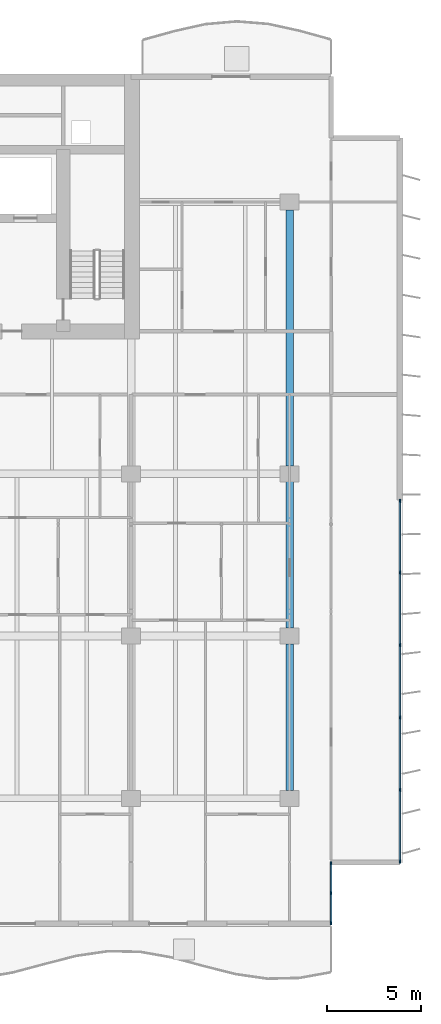
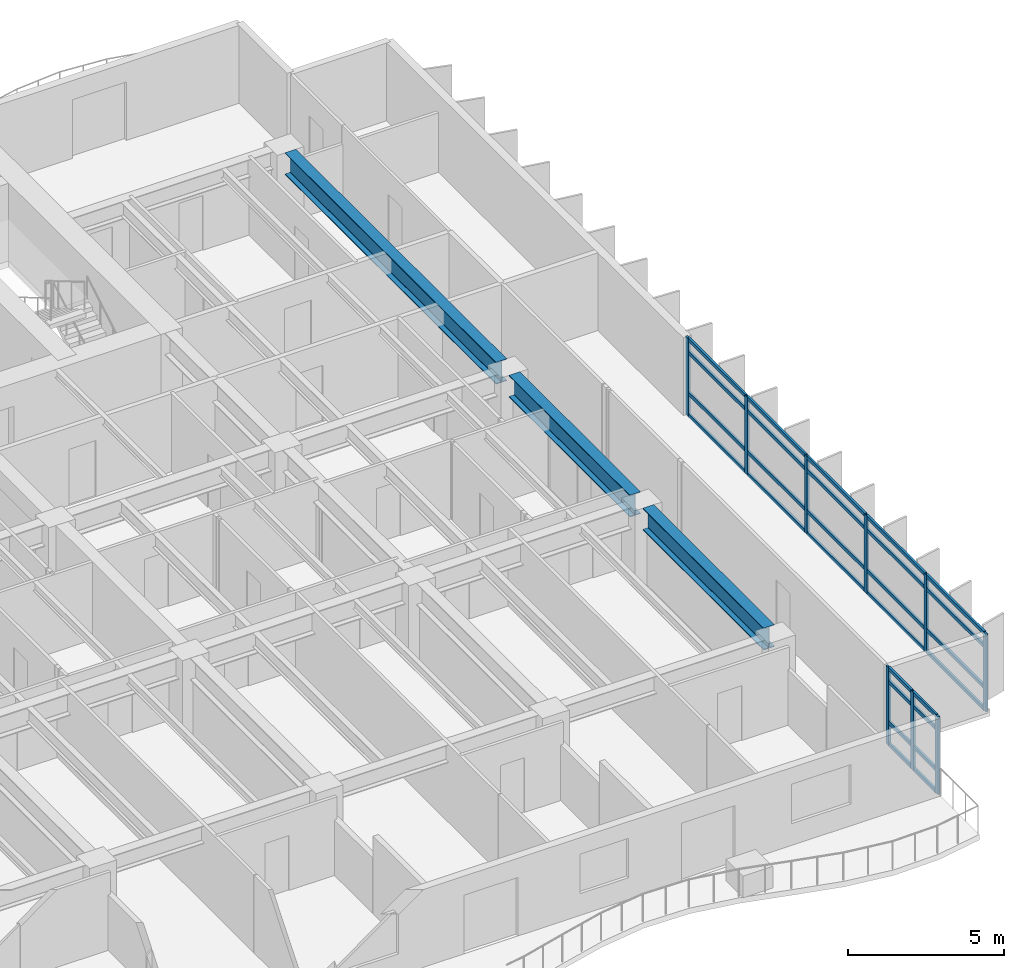
# One storey, part 4 of 19: 37 members, 3 beams, 2 elements without a shape of their own.
"""IFC4 building model written with IfcOpenShell, lengths in metres."""

import ifcopenshell
import ifcopenshell.guid

model = None  # the IFC model being written
_history = None  # IfcOwnerHistory: only IFC2X3 demands one
_inside = {}  # id of a spatial element -> (the spatial element, [elements in it])
_under = {}  # id of a project, library or spatial element -> (it, [spatial elements below it])
_declared = {}  # id of a project -> (the project, [libraries it declares])
_typed = {}  # id of a type object -> (the type object, [elements of that type])
_made_of = {}  # id of a material, layer set ... -> (it, [elements and type objects made of it])


def new_model(schema):
    """Start an empty IFC model of exactly this schema.

    Asked for "IFC4X3", IfcOpenShell would pick the latest addendum, in which some entities
    have other attributes; the version numbers below select the first issue.
    IFC2X3 requires an IfcOwnerHistory on every rooted entity: one is made here for all.
    """
    global model, _history
    if schema == "IFC4X3":
        model = ifcopenshell.file(schema_version=(4, 3, 0, 0))
    else:
        model = ifcopenshell.file(schema=schema)
    _inside.clear()
    _under.clear()
    _declared.clear()
    _typed.clear()
    _made_of.clear()
    _history = None
    if model.schema == "IFC2X3":
        org = make("IfcOrganization", Name="unknown")
        user = make(
            "IfcPersonAndOrganization",
            ThePerson=make("IfcPerson", FamilyName="unknown"),
            TheOrganization=org,
        )
        app = make(
            "IfcApplication",
            ApplicationDeveloper=org,
            Version="unknown",
            ApplicationFullName="unknown",
            ApplicationIdentifier="unknown",
        )
        _history = make(
            "IfcOwnerHistory",
            OwningUser=user,
            OwningApplication=app,
            ChangeAction="ADDED",
            CreationDate=0,
        )
    return model


def make(cls, **values):
    """One entity of the class cls with the attributes given. An attribute that is None is left unset."""
    return model.create_entity(
        cls, **{name: value for name, value in values.items() if value is not None}
    )


def rooted(cls, **values):
    """An entity with a GlobalId (a new one), such as an element, a storey or a relation."""
    return make(cls, GlobalId=ifcopenshell.guid.new(), OwnerHistory=_history, **values)


def si_unit(unit_type, name, prefix=None):
    """IfcSIUnit, for example si_unit("LENGTHUNIT", "METRE", prefix="MILLI")."""
    return make("IfcSIUnit", UnitType=unit_type, Prefix=prefix, Name=name)


def assignment(units):
    """IfcUnitAssignment: the units of a project."""
    return None if units is None else make("IfcUnitAssignment", Units=units)


def point(xyz):
    """IfcCartesianPoint."""
    return None if xyz is None else make("IfcCartesianPoint", Coordinates=xyz)


def direction(xyz):
    """IfcDirection."""
    return None if xyz is None else make("IfcDirection", DirectionRatios=xyz)


def frame(location, z_axis=None, x_axis=None):
    """IfcAxis2Placement3D, a coordinate frame: its origin and axes. An axis left out is left unset."""
    return make(
        "IfcAxis2Placement3D",
        Location=point(location),
        Axis=direction(z_axis),
        RefDirection=direction(x_axis),
    )


def frame_2d(location, x_axis=None):
    """IfcAxis2Placement2D, a coordinate frame in the plane: its origin and x axis."""
    return make(
        "IfcAxis2Placement2D", Location=point(location), RefDirection=direction(x_axis)
    )


def origin():
    """The frame at (0, 0, 0) with its axes left unset."""
    return frame((0.0, 0.0, 0.0))


def origin_2d():
    """The frame at (0, 0) in the plane with its x axis left unset."""
    return frame_2d((0.0, 0.0))


def place(relative_to, where):
    """IfcLocalPlacement: puts the frame where relative to a parent placement (None: the world)."""
    return make(
        "IfcLocalPlacement", PlacementRelTo=relative_to, RelativePlacement=where
    )


def context(
    kind, dimensions, precision=None, world=None, true_north=None, identifier=None
):
    """IfcGeometricRepresentationContext, for example the 3D "Model" context."""
    return make(
        "IfcGeometricRepresentationContext",
        ContextIdentifier=identifier,
        ContextType=kind,
        CoordinateSpaceDimension=dimensions,
        Precision=precision,
        WorldCoordinateSystem=world,
        TrueNorth=true_north,
    )


def subcontext(parent, identifier, kind, view, scale=None):
    """IfcGeometricRepresentationSubContext, for example "Body" below "Model"."""
    return make(
        "IfcGeometricRepresentationSubContext",
        ContextIdentifier=identifier,
        ContextType=kind,
        ParentContext=parent,
        TargetScale=scale,
        TargetView=view,
    )


def project(units=None, contexts=None):
    """IfcProject with its units and contexts."""
    return rooted(
        "IfcProject",
        Name="project",
        RepresentationContexts=contexts,
        UnitsInContext=assignment(units),
    )


def spatial(cls, under=None, at=None, **own):
    """A site, building, storey or space (cls), placed at a placement, below another one or the project."""
    s = rooted(cls, ObjectPlacement=at, **own)
    if under is not None:
        _under.setdefault(under.id(), (under, []))[1].append(s)
    return s


def profile(cls, at=None, kind="AREA", **sizes):
    """A parametric profile (cls). Its sizes go by their IFC names, for example OverallWidth=200.0."""
    return make(cls, ProfileType=kind, Position=at, **sizes)


def rectangle(**sizes):
    """IfcRectangleProfileDef."""
    return profile("IfcRectangleProfileDef", **sizes)


def i_section(**sizes):
    """IfcIShapeProfileDef."""
    return profile("IfcIShapeProfileDef", **sizes)


def extrude(swept, where, along, depth):
    """IfcExtrudedAreaSolid: the profile swept, set in the frame where, extruded along a direction by depth."""
    return make(
        "IfcExtrudedAreaSolid",
        SweptArea=swept,
        Position=where,
        ExtrudedDirection=direction(along),
        Depth=depth,
    )


def shape(context_of_items, identifier, shape_type, items):
    """IfcShapeRepresentation: the items that make up one representation, for example the "Body"."""
    return make(
        "IfcShapeRepresentation",
        ContextOfItems=context_of_items,
        RepresentationIdentifier=identifier,
        RepresentationType=shape_type,
        Items=items,
    )


def material(Name=None, Category=None):
    """IfcMaterial."""
    return make("IfcMaterial", Name=Name, Category=Category)


def layer(
    of_material, thickness, ventilated=None, Name=None, Category=None, Priority=None
):
    """IfcMaterialLayer: one layer of a wall or slab, of a material (None: an air gap)."""
    return make(
        "IfcMaterialLayer",
        Material=of_material,
        LayerThickness=thickness,
        IsVentilated=ventilated,
        Name=Name,
        Category=Category,
        Priority=Priority,
    )


def layer_set(layers, Name=None):
    """IfcMaterialLayerSet."""
    return make("IfcMaterialLayerSet", MaterialLayers=layers, LayerSetName=Name)


def material_profile(
    of_material, cross_section, Name=None, Category=None, Priority=None
):
    """IfcMaterialProfile: a cross section and its material."""
    return make(
        "IfcMaterialProfile",
        Name=Name,
        Material=of_material,
        Profile=cross_section,
        Priority=Priority,
        Category=Category,
    )


def profile_set(profiles, Name=None, composite=None):
    """IfcMaterialProfileSet."""
    return make(
        "IfcMaterialProfileSet",
        Name=Name,
        MaterialProfiles=profiles,
        CompositeProfile=composite,
    )


def made_of(thing, what):
    """Note that an element or type object is made of a material, layer set ...; save() writes the relation."""
    if what is not None:
        _made_of.setdefault(what.id(), (what, []))[1].append(thing)
    return thing


def type_object(cls, material=None, **own):
    """A type object (cls), such as IfcWallType, which elements share."""
    return made_of(rooted(cls, **own), material)


def element(
    cls,
    number,
    at=None,
    inside=None,
    cuts=None,
    type_object=None,
    material=None,
    context=None,
    identifier="Body",
    shape_type=None,
    held_by="IfcProductDefinitionShape",
    body=None,
    shapes=None,
    **own,
):
    """One element of the class cls, such as IfcWall. Its Tag is "e" and its number.

    at: its placement. inside: the storey or other place that contains it. cuts: it is an
    opening in that element (IfcRelVoidsElement). A single representation is given by context,
    identifier, shape_type and body (its items); several are given by shapes. held_by: the class
    of the entity that holds the representations. save() writes the other relations.
    """
    e = rooted(cls, Tag="e%d" % number, ObjectPlacement=at, **own)
    if body is not None:
        shapes = [shape(context, identifier, shape_type, body)]
    if shapes is not None:
        e.Representation = make(held_by, Representations=shapes)
    if inside is not None:
        _inside.setdefault(inside.id(), (inside, []))[1].append(e)
    if cuts is not None:
        rooted(
            "IfcRelVoidsElement", RelatingBuildingElement=cuts, RelatedOpeningElement=e
        )
    if type_object is not None:
        _typed.setdefault(type_object.id(), (type_object, []))[1].append(e)
    return made_of(e, material)


def aggregate(whole, parts):
    """IfcRelAggregates: a whole, such as a stair, and the parts it consists of."""
    return rooted("IfcRelAggregates", RelatingObject=whole, RelatedObjects=parts)


def save(model, path):
    """Write the relations noted so far, then the file.

    IfcRelAggregates (storeys below a building ...), IfcRelContainedInSpatialStructure (elements
    in a storey), IfcRelDefinesByType, IfcRelAssociatesMaterial and IfcRelDeclares: one each for
    every whole, place, type object, material and project.
    """
    for whole, parts in _under.values():
        aggregate(whole, parts)
    for where, things in _inside.values():
        rooted(
            "IfcRelContainedInSpatialStructure",
            RelatedElements=things,
            RelatingStructure=where,
        )
    for kind, things in _typed.values():
        rooted("IfcRelDefinesByType", RelatedObjects=things, RelatingType=kind)
    for what, things in _made_of.values():
        rooted("IfcRelAssociatesMaterial", RelatedObjects=things, RelatingMaterial=what)
    for by, libraries in _declared.values():
        rooted("IfcRelDeclares", RelatingContext=by, RelatedDefinitions=libraries)
    model.write(path)


model = new_model("IFC4")

# Units and contexts
model_context = context("Model", 3, precision=1e-05, world=origin(), true_north=direction((0.0, 1.0)))
body_context = subcontext(model_context, "Body", "Model", "MODEL_VIEW")
ifc_project = project(units=[si_unit("LENGTHUNIT", "METRE"), si_unit("AREAUNIT", "SQUARE_METRE"), si_unit("VOLUMEUNIT", "CUBIC_METRE"), si_unit("PLANEANGLEUNIT", "RADIAN"), si_unit("MASSUNIT", "GRAM", prefix="KILO")], contexts=[model_context])

# Site, building, storey
site_placement = place(None, origin())
site = spatial("IfcSite", under=ifc_project, at=site_placement, CompositionType="ELEMENT")
building_placement = place(site_placement, origin())
building = spatial("IfcBuilding", under=site, at=building_placement, Name="Caelmar Bay Residences", CompositionType="ELEMENT")
storey_placement = place(building_placement, frame((0.0, 0.0, 112.5)))
storey = spatial("IfcBuildingStorey", under=building, at=storey_placement, Name="L30", CompositionType="ELEMENT", Elevation=112.5)

# Beams
ifc_material_1 = material(Name="Steel ASTM A992 Grade 50", Category="steel")
ifc_material_profile_1 = material_profile(ifc_material_1, i_section(OverallWidth=0.40087890625, OverallDepth=0.861083984375, WebThickness=0.019775390625, FlangeThickness=0.032470703125, FilletRadius=0.017822265625, at=origin_2d()), Name="W33X221")
ifc_profile_set_1 = profile_set([ifc_material_profile_1], Name="Steel ASTM A992 Grade 50")
beam_type = type_object("IfcBeamType", Name="BM-GRD-W33X221", PredefinedType="BEAM", material=ifc_profile_set_1)
for number, where, z_axis, x_axis, name in (
    (1, (67.89990234375, 12.614990234375, 2.619384765625), (0.0, 1.0, 0.0), (-1.0, 0.0, 0.0), "L30 North-South Girder X=67.90 (12.2-20.8)"),
    (2, (67.89990234375, 21.215087890625, 2.619384765625), (0.0, 1.0, 0.0), (-1.0, 0.0, 0.0), "L30 North-South Girder X=67.90 (20.8-29.4)"),
):
    element("IfcBeam", number, at=place(storey_placement, frame(where, z_axis=z_axis, x_axis=x_axis)), inside=storey, type_object=beam_type, Name=name, PredefinedType="BEAM", context=body_context, shape_type="SweptSolid", body=[
        extrude(i_section(OverallWidth=0.40087890625, OverallDepth=0.861083984375, WebThickness=0.019775390625, FlangeThickness=0.032470703125, FilletRadius=0.017822265625, at=origin_2d()), origin(), (0.0, 0.0, 1.0), 7.77001953125),
    ])
beam_placement = place(storey_placement, frame((67.89990234375, 29.81494140625, 2.619384765625), z_axis=(0.0, 1.0, 0.0), x_axis=(-1.0, 0.0, 0.0)))
element("IfcBeam", 3, at=beam_placement, inside=storey, type_object=beam_type, Name="L30 North-South Girder X=67.90 (29.4-43.8)", PredefinedType="BEAM", context=body_context, shape_type="SweptSolid", body=[
    extrude(i_section(OverallWidth=0.40087890625, OverallDepth=0.861083984375, WebThickness=0.019775390625, FlangeThickness=0.032470703125, FilletRadius=0.017822265625, at=origin_2d()), origin(), (0.0, 0.0, 1.0), 13.570068359375),
])

# Curtain wall, members
ifc_material_2 = material(Name="Anodised bronze aluminium 6063-T6 and laminated glass", Category="aluminium")
ifc_layer_1 = layer(ifc_material_2, 0.179931640625)
ifc_layer_set_1 = layer_set([ifc_layer_1], Name="Anodised bronze aluminium 6063-T6 and laminated glass")
curtain_wall_type_1 = type_object("IfcCurtainWallType", Name="CW6-NTC", PredefinedType="NOTDEFINED", material=ifc_layer_set_1)
curtain_wall_1_placement = place(storey_placement, origin())
curtain_wall_1 = element("IfcCurtainWall", 4, at=curtain_wall_1_placement, inside=storey, type_object=curtain_wall_type_1, Name="CW6 curtain wall L30", PredefinedType="NOTDEFINED")
ifc_material_3 = material(Name="Anodised bronze aluminium 6063-T6", Category="aluminium")
ifc_material_profile_2 = material_profile(ifc_material_3, rectangle(XDim=0.080078125, YDim=0.179931640625, at=origin_2d()), Name="CWM-80X180")
ifc_profile_set_2 = profile_set([ifc_material_profile_2], Name="Anodised bronze aluminium 6063-T6")
member_type_1 = type_object("IfcMemberType", Name="CWM-180", PredefinedType="MULLION", material=ifc_profile_set_2)
member_1_placement = place(storey_placement, frame((70.10009765625, 5.590087890625, 0.0), z_axis=(0.0, 0.0, 1.0), x_axis=(-1.0, 0.0, 0.0)))
member_1 = element("IfcMember", 5, at=member_1_placement, type_object=member_type_1, Name="CW6 mullion 1", PredefinedType="MULLION", context=body_context, shape_type="SweptSolid", body=[
    extrude(rectangle(XDim=0.080078125, YDim=0.179931640625, at=origin_2d()), origin(), (0.0, 0.0, 1.0), 3.050048828125),
])
member_2_placement = place(storey_placement, frame((70.10009765625, 7.175048828125, 0.0), z_axis=(0.0, 0.0, 1.0), x_axis=(-1.0, 0.0, 0.0)))
member_2 = element("IfcMember", 6, at=member_2_placement, type_object=member_type_1, Name="CW6 mullion 2", PredefinedType="MULLION", context=body_context, shape_type="SweptSolid", body=[
    extrude(rectangle(XDim=0.080078125, YDim=0.179931640625, at=origin_2d()), origin(), (0.0, 0.0, 1.0), 3.050048828125),
])
member_3_placement = place(storey_placement, frame((70.10009765625, 8.760009765625, 0.0), z_axis=(0.0, 0.0, 1.0), x_axis=(-1.0, 0.0, 0.0)))
member_3 = element("IfcMember", 7, at=member_3_placement, type_object=member_type_1, Name="CW6 mullion 3", PredefinedType="MULLION", context=body_context, shape_type="SweptSolid", body=[
    extrude(rectangle(XDim=0.080078125, YDim=0.179931640625, at=origin_2d()), origin(), (0.0, 0.0, 1.0), 3.050048828125),
])

ifc_layer_2 = layer(ifc_material_2, 0.179931640625)
ifc_layer_set_2 = layer_set([ifc_layer_2], Name="Anodised bronze aluminium 6063-T6 and laminated glass")
curtain_wall_type_2 = type_object("IfcCurtainWallType", Name="CW3-Z2", PredefinedType="NOTDEFINED", material=ifc_layer_set_2)
curtain_wall_2_placement = place(storey_placement, origin())
curtain_wall_2 = element("IfcCurtainWall", 8, at=curtain_wall_2_placement, inside=storey, type_object=curtain_wall_type_2, Name="CW3 curtain wall L30", PredefinedType="NOTDEFINED")
member_4_placement = place(storey_placement, frame((73.75, 27.9599609375, 0.0), z_axis=(0.0, 0.0, 1.0), x_axis=(1.0, 0.0, 0.0)))
member_4 = element("IfcMember", 9, at=member_4_placement, type_object=member_type_1, Name="CW3 mullion 1", PredefinedType="MULLION", context=body_context, shape_type="SweptSolid", body=[
    extrude(rectangle(XDim=0.080078125, YDim=0.179931640625, at=origin_2d()), origin(), (0.0, 0.0, 1.0), 3.050048828125),
])
member_5_placement = place(storey_placement, frame((73.75, 24.159912109375, 0.0), z_axis=(0.0, 0.0, 1.0), x_axis=(1.0, 0.0, 0.0)))
member_5 = element("IfcMember", 10, at=member_5_placement, type_object=member_type_1, Name="CW3 mullion 2", PredefinedType="MULLION", context=body_context, shape_type="SweptSolid", body=[
    extrude(rectangle(XDim=0.080078125, YDim=0.179931640625, at=origin_2d()), origin(), (0.0, 0.0, 1.0), 3.050048828125),
])
member_6_placement = place(storey_placement, frame((73.75, 20.320068359375, 0.0), z_axis=(0.0, 0.0, 1.0), x_axis=(1.0, 0.0, 0.0)))
member_6 = element("IfcMember", 11, at=member_6_placement, type_object=member_type_1, Name="CW3 mullion 3", PredefinedType="MULLION", context=body_context, shape_type="SweptSolid", body=[
    extrude(rectangle(XDim=0.080078125, YDim=0.179931640625, at=origin_2d()), origin(), (0.0, 0.0, 1.0), 3.050048828125),
])
member_7_placement = place(storey_placement, frame((73.75, 16.47998046875, 0.0), z_axis=(0.0, 0.0, 1.0), x_axis=(1.0, 0.0, 0.0)))
member_7 = element("IfcMember", 12, at=member_7_placement, type_object=member_type_1, Name="CW3 mullion 4", PredefinedType="MULLION", context=body_context, shape_type="SweptSolid", body=[
    extrude(rectangle(XDim=0.080078125, YDim=0.179931640625, at=origin_2d()), origin(), (0.0, 0.0, 1.0), 3.050048828125),
])
member_8_placement = place(storey_placement, frame((73.75, 12.639892578125, 0.0), z_axis=(0.0, 0.0, 1.0), x_axis=(1.0, 0.0, 0.0)))
member_8 = element("IfcMember", 13, at=member_8_placement, type_object=member_type_1, Name="CW3 mullion 5", PredefinedType="MULLION", context=body_context, shape_type="SweptSolid", body=[
    extrude(rectangle(XDim=0.080078125, YDim=0.179931640625, at=origin_2d()), origin(), (0.0, 0.0, 1.0), 3.050048828125),
])
member_9_placement = place(storey_placement, frame((73.75, 8.840087890625, 0.0), z_axis=(0.0, 0.0, 1.0), x_axis=(1.0, 0.0, 0.0)))
member_9 = element("IfcMember", 14, at=member_9_placement, type_object=member_type_1, Name="CW3 mullion 6", PredefinedType="MULLION", context=body_context, shape_type="SweptSolid", body=[
    extrude(rectangle(XDim=0.080078125, YDim=0.179931640625, at=origin_2d()), origin(), (0.0, 0.0, 1.0), 3.050048828125),
])

# Member
ifc_material_profile_3 = material_profile(ifc_material_3, rectangle(XDim=0.080078125, YDim=0.139892578125, at=origin_2d()), Name="CWT-80X140")
ifc_profile_set_3 = profile_set([ifc_material_profile_3], Name="Anodised bronze aluminium 6063-T6")
member_type_2 = type_object("IfcMemberType", Name="CWT-140", PredefinedType="NOTDEFINED", material=ifc_profile_set_3)
member_10_placement = place(storey_placement, frame((70.10009765625, 5.6298828125, 0.0400390625), z_axis=(0.0, 1.0, 0.0), x_axis=(-1.0, 0.0, 0.0)))
member_10 = element("IfcMember", 15, at=member_10_placement, type_object=member_type_2, Name="CW6 transom 1.1", ObjectType="TRANSOM", PredefinedType="USERDEFINED", context=body_context, shape_type="SweptSolid", body=[
    extrude(rectangle(XDim=0.080078125, YDim=0.139892578125, at=origin_2d()), origin(), (0.0, 0.0, 1.0), 1.505126953125),
])

member_11_placement = place(storey_placement, frame((70.10009765625, 5.6298828125, 0.89990234375), z_axis=(0.0, 1.0, 0.0), x_axis=(-1.0, 0.0, 0.0)))
member_11 = element("IfcMember", 16, at=member_11_placement, type_object=member_type_2, Name="CW6 transom 1.2", ObjectType="TRANSOM", PredefinedType="USERDEFINED", context=body_context, shape_type="SweptSolid", body=[
    extrude(rectangle(XDim=0.080078125, YDim=0.139892578125, at=origin_2d()), origin(), (0.0, 0.0, 1.0), 1.505126953125),
])

member_12_placement = place(storey_placement, frame((70.10009765625, 5.6298828125, 2.5), z_axis=(0.0, 1.0, 0.0), x_axis=(-1.0, 0.0, 0.0)))
member_12 = element("IfcMember", 17, at=member_12_placement, type_object=member_type_2, Name="CW6 transom 1.3", ObjectType="TRANSOM", PredefinedType="USERDEFINED", context=body_context, shape_type="SweptSolid", body=[
    extrude(rectangle(XDim=0.080078125, YDim=0.139892578125, at=origin_2d()), origin(), (0.0, 0.0, 1.0), 1.505126953125),
])

member_13_placement = place(storey_placement, frame((70.10009765625, 5.6298828125, 3.010009765625), z_axis=(0.0, 1.0, 0.0), x_axis=(-1.0, 0.0, 0.0)))
member_13 = element("IfcMember", 18, at=member_13_placement, type_object=member_type_2, Name="CW6 transom 1.4", ObjectType="TRANSOM", PredefinedType="USERDEFINED", context=body_context, shape_type="SweptSolid", body=[
    extrude(rectangle(XDim=0.080078125, YDim=0.139892578125, at=origin_2d()), origin(), (0.0, 0.0, 1.0), 1.505126953125),
])

member_14_placement = place(storey_placement, frame((70.10009765625, 7.215087890625, 0.0400390625), z_axis=(0.0, 1.0, 0.0), x_axis=(-1.0, 0.0, 0.0)))
member_14 = element("IfcMember", 19, at=member_14_placement, type_object=member_type_2, Name="CW6 transom 2.1", ObjectType="TRANSOM", PredefinedType="USERDEFINED", context=body_context, shape_type="SweptSolid", body=[
    extrude(rectangle(XDim=0.080078125, YDim=0.139892578125, at=origin_2d()), origin(), (0.0, 0.0, 1.0), 1.5048828125),
])

member_15_placement = place(storey_placement, frame((70.10009765625, 7.215087890625, 0.89990234375), z_axis=(0.0, 1.0, 0.0), x_axis=(-1.0, 0.0, 0.0)))
member_15 = element("IfcMember", 20, at=member_15_placement, type_object=member_type_2, Name="CW6 transom 2.2", ObjectType="TRANSOM", PredefinedType="USERDEFINED", context=body_context, shape_type="SweptSolid", body=[
    extrude(rectangle(XDim=0.080078125, YDim=0.139892578125, at=origin_2d()), origin(), (0.0, 0.0, 1.0), 1.5048828125),
])

member_16_placement = place(storey_placement, frame((70.10009765625, 7.215087890625, 2.5), z_axis=(0.0, 1.0, 0.0), x_axis=(-1.0, 0.0, 0.0)))
member_16 = element("IfcMember", 21, at=member_16_placement, type_object=member_type_2, Name="CW6 transom 2.3", ObjectType="TRANSOM", PredefinedType="USERDEFINED", context=body_context, shape_type="SweptSolid", body=[
    extrude(rectangle(XDim=0.080078125, YDim=0.139892578125, at=origin_2d()), origin(), (0.0, 0.0, 1.0), 1.5048828125),
])

member_17_placement = place(storey_placement, frame((70.10009765625, 7.215087890625, 3.010009765625), z_axis=(0.0, 1.0, 0.0), x_axis=(-1.0, 0.0, 0.0)))
member_17 = element("IfcMember", 22, at=member_17_placement, type_object=member_type_2, Name="CW6 transom 2.4", ObjectType="TRANSOM", PredefinedType="USERDEFINED", context=body_context, shape_type="SweptSolid", body=[
    extrude(rectangle(XDim=0.080078125, YDim=0.139892578125, at=origin_2d()), origin(), (0.0, 0.0, 1.0), 1.5048828125),
])

aggregate(curtain_wall_1, [member_1, member_2, member_3, member_10, member_11, member_12, member_13, member_14, member_15, member_16, member_17])

member_18_placement = place(storey_placement, frame((73.75, 27.919921875, 0.0400390625), z_axis=(0.0, -1.0, 0.0), x_axis=(1.0, 0.0, 0.0)))
member_18 = element("IfcMember", 23, at=member_18_placement, type_object=member_type_2, Name="CW3 transom 1.1", ObjectType="TRANSOM", PredefinedType="USERDEFINED", context=body_context, shape_type="SweptSolid", body=[
    extrude(rectangle(XDim=0.080078125, YDim=0.139892578125, at=origin_2d()), origin(), (0.0, 0.0, 1.0), 3.719970703125),
])

member_19_placement = place(storey_placement, frame((73.75, 27.919921875, 0.89990234375), z_axis=(0.0, -1.0, 0.0), x_axis=(1.0, 0.0, 0.0)))
member_19 = element("IfcMember", 24, at=member_19_placement, type_object=member_type_2, Name="CW3 transom 1.2", ObjectType="TRANSOM", PredefinedType="USERDEFINED", context=body_context, shape_type="SweptSolid", body=[
    extrude(rectangle(XDim=0.080078125, YDim=0.139892578125, at=origin_2d()), origin(), (0.0, 0.0, 1.0), 3.719970703125),
])

member_20_placement = place(storey_placement, frame((73.75, 27.919921875, 2.5), z_axis=(0.0, -1.0, 0.0), x_axis=(1.0, 0.0, 0.0)))
member_20 = element("IfcMember", 25, at=member_20_placement, type_object=member_type_2, Name="CW3 transom 1.3", ObjectType="TRANSOM", PredefinedType="USERDEFINED", context=body_context, shape_type="SweptSolid", body=[
    extrude(rectangle(XDim=0.080078125, YDim=0.139892578125, at=origin_2d()), origin(), (0.0, 0.0, 1.0), 3.719970703125),
])

member_21_placement = place(storey_placement, frame((73.75, 27.919921875, 3.010009765625), z_axis=(0.0, -1.0, 0.0), x_axis=(1.0, 0.0, 0.0)))
member_21 = element("IfcMember", 26, at=member_21_placement, type_object=member_type_2, Name="CW3 transom 1.4", ObjectType="TRANSOM", PredefinedType="USERDEFINED", context=body_context, shape_type="SweptSolid", body=[
    extrude(rectangle(XDim=0.080078125, YDim=0.139892578125, at=origin_2d()), origin(), (0.0, 0.0, 1.0), 3.719970703125),
])

member_22_placement = place(storey_placement, frame((73.75, 24.1201171875, 0.0400390625), z_axis=(0.0, -1.0, 0.0), x_axis=(1.0, 0.0, 0.0)))
member_22 = element("IfcMember", 27, at=member_22_placement, type_object=member_type_2, Name="CW3 transom 2.1", ObjectType="TRANSOM", PredefinedType="USERDEFINED", context=body_context, shape_type="SweptSolid", body=[
    extrude(rectangle(XDim=0.080078125, YDim=0.139892578125, at=origin_2d()), origin(), (0.0, 0.0, 1.0), 3.760009765625),
])

member_23_placement = place(storey_placement, frame((73.75, 24.1201171875, 0.89990234375), z_axis=(0.0, -1.0, 0.0), x_axis=(1.0, 0.0, 0.0)))
member_23 = element("IfcMember", 28, at=member_23_placement, type_object=member_type_2, Name="CW3 transom 2.2", ObjectType="TRANSOM", PredefinedType="USERDEFINED", context=body_context, shape_type="SweptSolid", body=[
    extrude(rectangle(XDim=0.080078125, YDim=0.139892578125, at=origin_2d()), origin(), (0.0, 0.0, 1.0), 3.760009765625),
])

member_24_placement = place(storey_placement, frame((73.75, 24.1201171875, 2.5), z_axis=(0.0, -1.0, 0.0), x_axis=(1.0, 0.0, 0.0)))
member_24 = element("IfcMember", 29, at=member_24_placement, type_object=member_type_2, Name="CW3 transom 2.3", ObjectType="TRANSOM", PredefinedType="USERDEFINED", context=body_context, shape_type="SweptSolid", body=[
    extrude(rectangle(XDim=0.080078125, YDim=0.139892578125, at=origin_2d()), origin(), (0.0, 0.0, 1.0), 3.760009765625),
])

member_25_placement = place(storey_placement, frame((73.75, 24.1201171875, 3.010009765625), z_axis=(0.0, -1.0, 0.0), x_axis=(1.0, 0.0, 0.0)))
member_25 = element("IfcMember", 30, at=member_25_placement, type_object=member_type_2, Name="CW3 transom 2.4", ObjectType="TRANSOM", PredefinedType="USERDEFINED", context=body_context, shape_type="SweptSolid", body=[
    extrude(rectangle(XDim=0.080078125, YDim=0.139892578125, at=origin_2d()), origin(), (0.0, 0.0, 1.0), 3.760009765625),
])

member_26_placement = place(storey_placement, frame((73.75, 20.280029296875, 0.0400390625), z_axis=(0.0, -1.0, 0.0), x_axis=(1.0, 0.0, 0.0)))
member_26 = element("IfcMember", 31, at=member_26_placement, type_object=member_type_2, Name="CW3 transom 3.1", ObjectType="TRANSOM", PredefinedType="USERDEFINED", context=body_context, shape_type="SweptSolid", body=[
    extrude(rectangle(XDim=0.080078125, YDim=0.139892578125, at=origin_2d()), origin(), (0.0, 0.0, 1.0), 3.760009765625),
])

member_27_placement = place(storey_placement, frame((73.75, 20.280029296875, 0.89990234375), z_axis=(0.0, -1.0, 0.0), x_axis=(1.0, 0.0, 0.0)))
member_27 = element("IfcMember", 32, at=member_27_placement, type_object=member_type_2, Name="CW3 transom 3.2", ObjectType="TRANSOM", PredefinedType="USERDEFINED", context=body_context, shape_type="SweptSolid", body=[
    extrude(rectangle(XDim=0.080078125, YDim=0.139892578125, at=origin_2d()), origin(), (0.0, 0.0, 1.0), 3.760009765625),
])

member_28_placement = place(storey_placement, frame((73.75, 20.280029296875, 2.5), z_axis=(0.0, -1.0, 0.0), x_axis=(1.0, 0.0, 0.0)))
member_28 = element("IfcMember", 33, at=member_28_placement, type_object=member_type_2, Name="CW3 transom 3.3", ObjectType="TRANSOM", PredefinedType="USERDEFINED", context=body_context, shape_type="SweptSolid", body=[
    extrude(rectangle(XDim=0.080078125, YDim=0.139892578125, at=origin_2d()), origin(), (0.0, 0.0, 1.0), 3.760009765625),
])

member_29_placement = place(storey_placement, frame((73.75, 20.280029296875, 3.010009765625), z_axis=(0.0, -1.0, 0.0), x_axis=(1.0, 0.0, 0.0)))
member_29 = element("IfcMember", 34, at=member_29_placement, type_object=member_type_2, Name="CW3 transom 3.4", ObjectType="TRANSOM", PredefinedType="USERDEFINED", context=body_context, shape_type="SweptSolid", body=[
    extrude(rectangle(XDim=0.080078125, YDim=0.139892578125, at=origin_2d()), origin(), (0.0, 0.0, 1.0), 3.760009765625),
])

member_30_placement = place(storey_placement, frame((73.75, 16.43994140625, 0.0400390625), z_axis=(0.0, -1.0, 0.0), x_axis=(1.0, 0.0, 0.0)))
member_30 = element("IfcMember", 35, at=member_30_placement, type_object=member_type_2, Name="CW3 transom 4.1", ObjectType="TRANSOM", PredefinedType="USERDEFINED", context=body_context, shape_type="SweptSolid", body=[
    extrude(rectangle(XDim=0.080078125, YDim=0.139892578125, at=origin_2d()), origin(), (0.0, 0.0, 1.0), 3.760009765625),
])

member_31_placement = place(storey_placement, frame((73.75, 16.43994140625, 0.89990234375), z_axis=(0.0, -1.0, 0.0), x_axis=(1.0, 0.0, 0.0)))
member_31 = element("IfcMember", 36, at=member_31_placement, type_object=member_type_2, Name="CW3 transom 4.2", ObjectType="TRANSOM", PredefinedType="USERDEFINED", context=body_context, shape_type="SweptSolid", body=[
    extrude(rectangle(XDim=0.080078125, YDim=0.139892578125, at=origin_2d()), origin(), (0.0, 0.0, 1.0), 3.760009765625),
])

member_32_placement = place(storey_placement, frame((73.75, 16.43994140625, 2.5), z_axis=(0.0, -1.0, 0.0), x_axis=(1.0, 0.0, 0.0)))
member_32 = element("IfcMember", 37, at=member_32_placement, type_object=member_type_2, Name="CW3 transom 4.3", ObjectType="TRANSOM", PredefinedType="USERDEFINED", context=body_context, shape_type="SweptSolid", body=[
    extrude(rectangle(XDim=0.080078125, YDim=0.139892578125, at=origin_2d()), origin(), (0.0, 0.0, 1.0), 3.760009765625),
])

member_33_placement = place(storey_placement, frame((73.75, 16.43994140625, 3.010009765625), z_axis=(0.0, -1.0, 0.0), x_axis=(1.0, 0.0, 0.0)))
member_33 = element("IfcMember", 38, at=member_33_placement, type_object=member_type_2, Name="CW3 transom 4.4", ObjectType="TRANSOM", PredefinedType="USERDEFINED", context=body_context, shape_type="SweptSolid", body=[
    extrude(rectangle(XDim=0.080078125, YDim=0.139892578125, at=origin_2d()), origin(), (0.0, 0.0, 1.0), 3.760009765625),
])

member_34_placement = place(storey_placement, frame((73.75, 12.60009765625, 0.0400390625), z_axis=(0.0, -1.0, 0.0), x_axis=(1.0, 0.0, 0.0)))
member_34 = element("IfcMember", 39, at=member_34_placement, type_object=member_type_2, Name="CW3 transom 5.1", ObjectType="TRANSOM", PredefinedType="USERDEFINED", context=body_context, shape_type="SweptSolid", body=[
    extrude(rectangle(XDim=0.080078125, YDim=0.139892578125, at=origin_2d()), origin(), (0.0, 0.0, 1.0), 3.72021484375),
])

member_35_placement = place(storey_placement, frame((73.75, 12.60009765625, 0.89990234375), z_axis=(0.0, -1.0, 0.0), x_axis=(1.0, 0.0, 0.0)))
member_35 = element("IfcMember", 40, at=member_35_placement, type_object=member_type_2, Name="CW3 transom 5.2", ObjectType="TRANSOM", PredefinedType="USERDEFINED", context=body_context, shape_type="SweptSolid", body=[
    extrude(rectangle(XDim=0.080078125, YDim=0.139892578125, at=origin_2d()), origin(), (0.0, 0.0, 1.0), 3.72021484375),
])

member_36_placement = place(storey_placement, frame((73.75, 12.60009765625, 2.5), z_axis=(0.0, -1.0, 0.0), x_axis=(1.0, 0.0, 0.0)))
member_36 = element("IfcMember", 41, at=member_36_placement, type_object=member_type_2, Name="CW3 transom 5.3", ObjectType="TRANSOM", PredefinedType="USERDEFINED", context=body_context, shape_type="SweptSolid", body=[
    extrude(rectangle(XDim=0.080078125, YDim=0.139892578125, at=origin_2d()), origin(), (0.0, 0.0, 1.0), 3.72021484375),
])

member_37_placement = place(storey_placement, frame((73.75, 12.60009765625, 3.010009765625), z_axis=(0.0, -1.0, 0.0), x_axis=(1.0, 0.0, 0.0)))
member_37 = element("IfcMember", 42, at=member_37_placement, type_object=member_type_2, Name="CW3 transom 5.4", ObjectType="TRANSOM", PredefinedType="USERDEFINED", context=body_context, shape_type="SweptSolid", body=[
    extrude(rectangle(XDim=0.080078125, YDim=0.139892578125, at=origin_2d()), origin(), (0.0, 0.0, 1.0), 3.72021484375),
])

aggregate(curtain_wall_2, [member_4, member_5, member_6, member_7, member_8, member_9, member_18, member_19, member_20, member_21, member_22, member_23, member_24, member_25, member_26, member_27, member_28, member_29, member_30, member_31, member_32, member_33, member_34, member_35, member_36, member_37])

save(model, "model.ifc")
